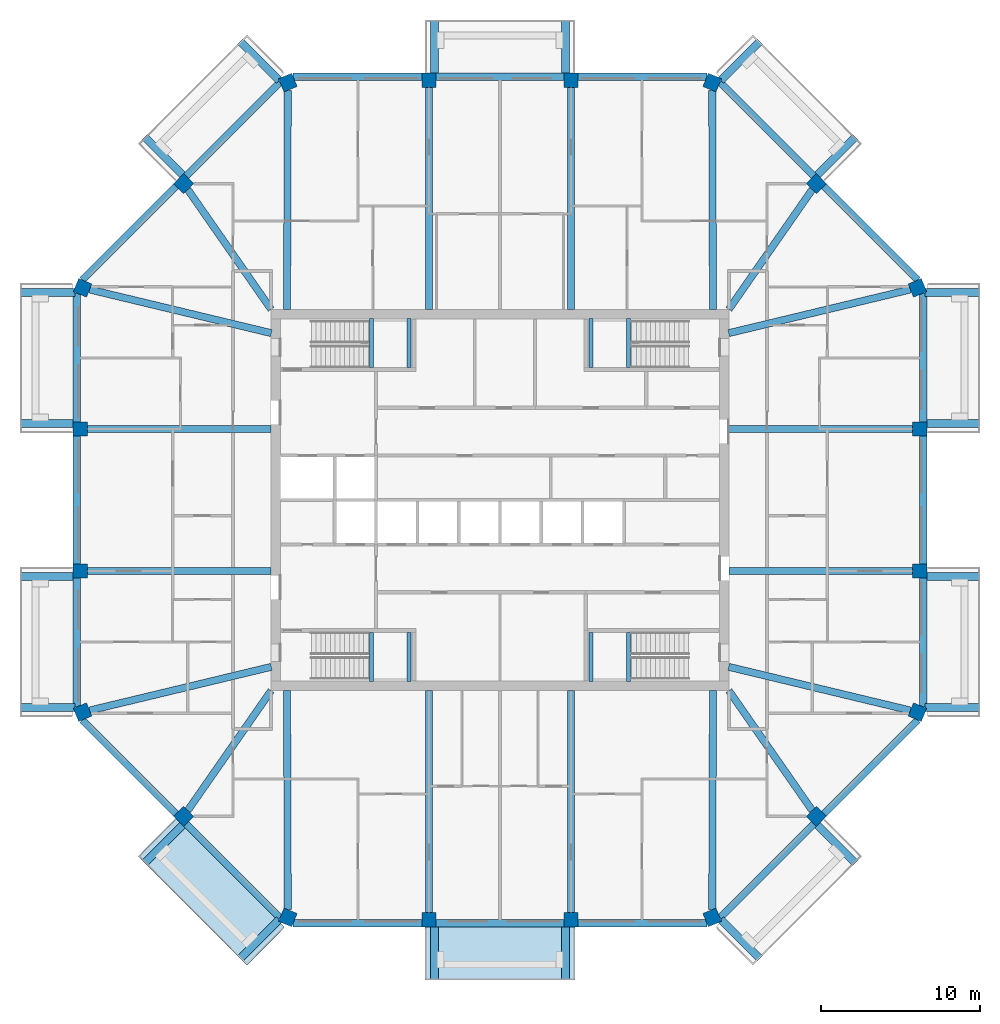
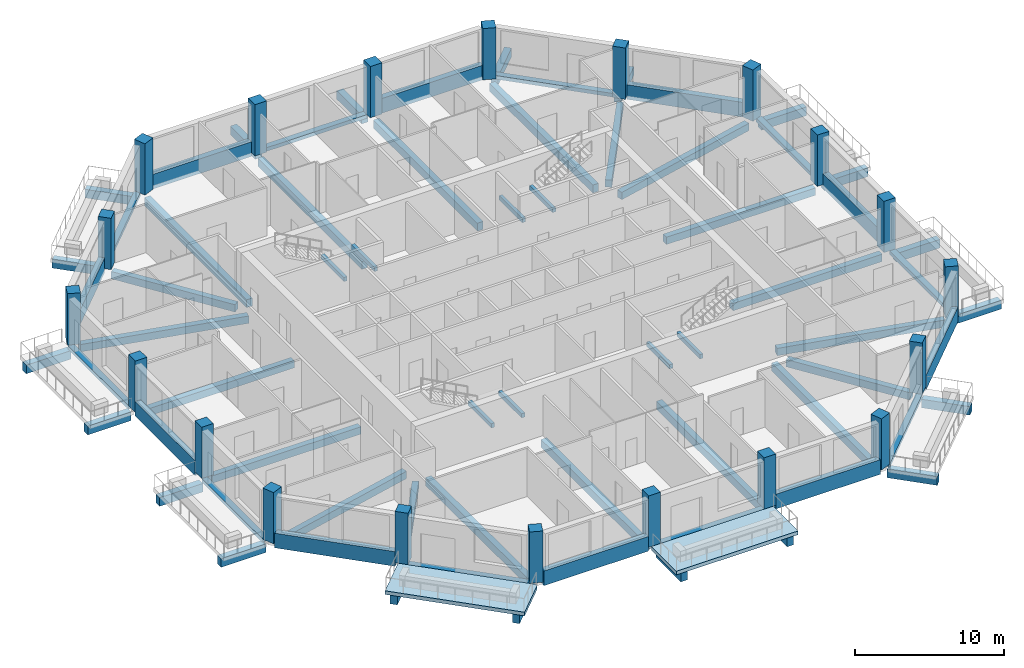
# One storey, part 1 of 12: 68 beams, 20 columns, 2 slabs.
"""IFC4 building model written with IfcOpenShell, lengths in metres."""

import ifcopenshell
import ifcopenshell.guid

model = None  # the IFC model being written
_history = None  # IfcOwnerHistory: only IFC2X3 demands one
_inside = {}  # id of a spatial element -> (the spatial element, [elements in it])
_under = {}  # id of a project, library or spatial element -> (it, [spatial elements below it])
_declared = {}  # id of a project -> (the project, [libraries it declares])
_typed = {}  # id of a type object -> (the type object, [elements of that type])
_made_of = {}  # id of a material, layer set ... -> (it, [elements and type objects made of it])


def new_model(schema):
    """Start an empty IFC model of exactly this schema.

    Asked for "IFC4X3", IfcOpenShell would pick the latest addendum, in which some entities
    have other attributes; the version numbers below select the first issue.
    IFC2X3 requires an IfcOwnerHistory on every rooted entity: one is made here for all.
    """
    global model, _history
    if schema == "IFC4X3":
        model = ifcopenshell.file(schema_version=(4, 3, 0, 0))
    else:
        model = ifcopenshell.file(schema=schema)
    _inside.clear()
    _under.clear()
    _declared.clear()
    _typed.clear()
    _made_of.clear()
    _history = None
    if model.schema == "IFC2X3":
        org = make("IfcOrganization", Name="unknown")
        user = make(
            "IfcPersonAndOrganization",
            ThePerson=make("IfcPerson", FamilyName="unknown"),
            TheOrganization=org,
        )
        app = make(
            "IfcApplication",
            ApplicationDeveloper=org,
            Version="unknown",
            ApplicationFullName="unknown",
            ApplicationIdentifier="unknown",
        )
        _history = make(
            "IfcOwnerHistory",
            OwningUser=user,
            OwningApplication=app,
            ChangeAction="ADDED",
            CreationDate=0,
        )
    return model


def make(cls, **values):
    """One entity of the class cls with the attributes given. An attribute that is None is left unset."""
    return model.create_entity(
        cls, **{name: value for name, value in values.items() if value is not None}
    )


def rooted(cls, **values):
    """An entity with a GlobalId (a new one), such as an element, a storey or a relation."""
    return make(cls, GlobalId=ifcopenshell.guid.new(), OwnerHistory=_history, **values)


def si_unit(unit_type, name, prefix=None):
    """IfcSIUnit, for example si_unit("LENGTHUNIT", "METRE", prefix="MILLI")."""
    return make("IfcSIUnit", UnitType=unit_type, Prefix=prefix, Name=name)


def assignment(units):
    """IfcUnitAssignment: the units of a project."""
    return None if units is None else make("IfcUnitAssignment", Units=units)


def point(xyz):
    """IfcCartesianPoint."""
    return None if xyz is None else make("IfcCartesianPoint", Coordinates=xyz)


def direction(xyz):
    """IfcDirection."""
    return None if xyz is None else make("IfcDirection", DirectionRatios=xyz)


def frame(location, z_axis=None, x_axis=None):
    """IfcAxis2Placement3D, a coordinate frame: its origin and axes. An axis left out is left unset."""
    return make(
        "IfcAxis2Placement3D",
        Location=point(location),
        Axis=direction(z_axis),
        RefDirection=direction(x_axis),
    )


def frame_2d(location, x_axis=None):
    """IfcAxis2Placement2D, a coordinate frame in the plane: its origin and x axis."""
    return make(
        "IfcAxis2Placement2D", Location=point(location), RefDirection=direction(x_axis)
    )


def origin():
    """The frame at (0, 0, 0) with its axes left unset."""
    return frame((0.0, 0.0, 0.0))


def origin_2d():
    """The frame at (0, 0) in the plane with its x axis left unset."""
    return frame_2d((0.0, 0.0))


def place(relative_to, where):
    """IfcLocalPlacement: puts the frame where relative to a parent placement (None: the world)."""
    return make(
        "IfcLocalPlacement", PlacementRelTo=relative_to, RelativePlacement=where
    )


def context(
    kind, dimensions, precision=None, world=None, true_north=None, identifier=None
):
    """IfcGeometricRepresentationContext, for example the 3D "Model" context."""
    return make(
        "IfcGeometricRepresentationContext",
        ContextIdentifier=identifier,
        ContextType=kind,
        CoordinateSpaceDimension=dimensions,
        Precision=precision,
        WorldCoordinateSystem=world,
        TrueNorth=true_north,
    )


def subcontext(parent, identifier, kind, view, scale=None):
    """IfcGeometricRepresentationSubContext, for example "Body" below "Model"."""
    return make(
        "IfcGeometricRepresentationSubContext",
        ContextIdentifier=identifier,
        ContextType=kind,
        ParentContext=parent,
        TargetScale=scale,
        TargetView=view,
    )


def project(units=None, contexts=None):
    """IfcProject with its units and contexts."""
    return rooted(
        "IfcProject",
        Name="project",
        RepresentationContexts=contexts,
        UnitsInContext=assignment(units),
    )


def spatial(cls, under=None, at=None, **own):
    """A site, building, storey or space (cls), placed at a placement, below another one or the project."""
    s = rooted(cls, ObjectPlacement=at, **own)
    if under is not None:
        _under.setdefault(under.id(), (under, []))[1].append(s)
    return s


def polyline(points):
    """IfcPolyline through the points."""
    return make("IfcPolyline", Points=[point(p) for p in points])


def profile(cls, at=None, kind="AREA", **sizes):
    """A parametric profile (cls). Its sizes go by their IFC names, for example OverallWidth=200.0."""
    return make(cls, ProfileType=kind, Position=at, **sizes)


def rectangle(**sizes):
    """IfcRectangleProfileDef."""
    return profile("IfcRectangleProfileDef", **sizes)


def outline(outer, holes=None, kind="AREA"):
    """IfcArbitraryClosedProfileDef: a profile drawn as a closed curve; with holes, ...WithVoids."""
    if holes is None:
        return make("IfcArbitraryClosedProfileDef", ProfileType=kind, OuterCurve=outer)
    return make(
        "IfcArbitraryProfileDefWithVoids",
        ProfileType=kind,
        OuterCurve=outer,
        InnerCurves=holes,
    )


def extrude(swept, where, along, depth):
    """IfcExtrudedAreaSolid: the profile swept, set in the frame where, extruded along a direction by depth."""
    return make(
        "IfcExtrudedAreaSolid",
        SweptArea=swept,
        Position=where,
        ExtrudedDirection=direction(along),
        Depth=depth,
    )


def shape(context_of_items, identifier, shape_type, items):
    """IfcShapeRepresentation: the items that make up one representation, for example the "Body"."""
    return make(
        "IfcShapeRepresentation",
        ContextOfItems=context_of_items,
        RepresentationIdentifier=identifier,
        RepresentationType=shape_type,
        Items=items,
    )


def material(Name=None, Category=None):
    """IfcMaterial."""
    return make("IfcMaterial", Name=Name, Category=Category)


def layer(
    of_material, thickness, ventilated=None, Name=None, Category=None, Priority=None
):
    """IfcMaterialLayer: one layer of a wall or slab, of a material (None: an air gap)."""
    return make(
        "IfcMaterialLayer",
        Material=of_material,
        LayerThickness=thickness,
        IsVentilated=ventilated,
        Name=Name,
        Category=Category,
        Priority=Priority,
    )


def layer_set(layers, Name=None):
    """IfcMaterialLayerSet."""
    return make("IfcMaterialLayerSet", MaterialLayers=layers, LayerSetName=Name)


def material_profile(
    of_material, cross_section, Name=None, Category=None, Priority=None
):
    """IfcMaterialProfile: a cross section and its material."""
    return make(
        "IfcMaterialProfile",
        Name=Name,
        Material=of_material,
        Profile=cross_section,
        Priority=Priority,
        Category=Category,
    )


def profile_set(profiles, Name=None, composite=None):
    """IfcMaterialProfileSet."""
    return make(
        "IfcMaterialProfileSet",
        Name=Name,
        MaterialProfiles=profiles,
        CompositeProfile=composite,
    )


def made_of(thing, what):
    """Note that an element or type object is made of a material, layer set ...; save() writes the relation."""
    if what is not None:
        _made_of.setdefault(what.id(), (what, []))[1].append(thing)
    return thing


def type_object(cls, material=None, **own):
    """A type object (cls), such as IfcWallType, which elements share."""
    return made_of(rooted(cls, **own), material)


def element(
    cls,
    number,
    at=None,
    inside=None,
    cuts=None,
    type_object=None,
    material=None,
    context=None,
    identifier="Body",
    shape_type=None,
    held_by="IfcProductDefinitionShape",
    body=None,
    shapes=None,
    **own,
):
    """One element of the class cls, such as IfcWall. Its Tag is "e" and its number.

    at: its placement. inside: the storey or other place that contains it. cuts: it is an
    opening in that element (IfcRelVoidsElement). A single representation is given by context,
    identifier, shape_type and body (its items); several are given by shapes. held_by: the class
    of the entity that holds the representations. save() writes the other relations.
    """
    e = rooted(cls, Tag="e%d" % number, ObjectPlacement=at, **own)
    if body is not None:
        shapes = [shape(context, identifier, shape_type, body)]
    if shapes is not None:
        e.Representation = make(held_by, Representations=shapes)
    if inside is not None:
        _inside.setdefault(inside.id(), (inside, []))[1].append(e)
    if cuts is not None:
        rooted(
            "IfcRelVoidsElement", RelatingBuildingElement=cuts, RelatedOpeningElement=e
        )
    if type_object is not None:
        _typed.setdefault(type_object.id(), (type_object, []))[1].append(e)
    return made_of(e, material)


def aggregate(whole, parts):
    """IfcRelAggregates: a whole, such as a stair, and the parts it consists of."""
    return rooted("IfcRelAggregates", RelatingObject=whole, RelatedObjects=parts)


def save(model, path):
    """Write the relations noted so far, then the file.

    IfcRelAggregates (storeys below a building ...), IfcRelContainedInSpatialStructure (elements
    in a storey), IfcRelDefinesByType, IfcRelAssociatesMaterial and IfcRelDeclares: one each for
    every whole, place, type object, material and project.
    """
    for whole, parts in _under.values():
        aggregate(whole, parts)
    for where, things in _inside.values():
        rooted(
            "IfcRelContainedInSpatialStructure",
            RelatedElements=things,
            RelatingStructure=where,
        )
    for kind, things in _typed.values():
        rooted("IfcRelDefinesByType", RelatedObjects=things, RelatingType=kind)
    for what, things in _made_of.values():
        rooted("IfcRelAssociatesMaterial", RelatedObjects=things, RelatingMaterial=what)
    for by, libraries in _declared.values():
        rooted("IfcRelDeclares", RelatingContext=by, RelatedDefinitions=libraries)
    model.write(path)


model = new_model("IFC4")

# Units and contexts
model_context = context("Model", 3, precision=1e-05, world=origin(), true_north=direction((0.0, 1.0)))
body_context = subcontext(model_context, "Body", "Model", "MODEL_VIEW")
ifc_project = project(units=[si_unit("LENGTHUNIT", "METRE"), si_unit("AREAUNIT", "SQUARE_METRE"), si_unit("VOLUMEUNIT", "CUBIC_METRE"), si_unit("PLANEANGLEUNIT", "RADIAN"), si_unit("MASSUNIT", "GRAM", prefix="KILO")], contexts=[model_context])

# Site, building, storey
site_placement = place(None, origin())
site = spatial("IfcSite", under=ifc_project, at=site_placement, CompositionType="ELEMENT")
building_placement = place(site_placement, origin())
building = spatial("IfcBuilding", under=site, at=building_placement, Name="Msitu Wima Residences", CompositionType="ELEMENT")
storey_placement = place(building_placement, frame((0.0, 0.0, 243.300048828125)))
storey = spatial("IfcBuildingStorey", under=building, at=storey_placement, Name="L56", CompositionType="ELEMENT", Elevation=243.300048828125)

# Columns
ifc_material_1 = material(Name="Concrete C50/60", Category="concrete")
ifc_material_profile_1 = material_profile(ifc_material_1, rectangle(XDim=0.89990234375, YDim=0.89990234375, at=origin_2d()), Name="RC 900x900")
ifc_profile_set_1 = profile_set([ifc_material_profile_1], Name="Concrete C50/60")
column_type = type_object("IfcColumnType", Name="Column RC 900x900 Concrete C50/60", PredefinedType="COLUMN", material=ifc_profile_set_1)
for number, where, z_axis, x_axis, name in (
    (1, (26.261962890625, -13.3486328125, 0.0), (0.0, 0.0, 1.0), (0.382683496864, 0.923879505795, 0.0), "Column L56 C-E0"),
    (2, (26.39990234375, -4.46875, 0.0), (0.0, 0.0, 1.0), (0.0, 1.0, 0.0), "Column L56 C-E1"),
    (3, (26.39990234375, 4.46875, 0.0), (0.0, 0.0, 1.0), (0.0, 1.0, 0.0), "Column L56 C-E2"),
    (4, (26.261962890625, 13.3486328125, 0.0), (0.0, 0.0, 1.0), (-0.382683496864, 0.923879505795, 0.0), "Column L56 C-NE0"),
    (5, (19.90283203125, 19.90283203125, 0.0), (0.0, 0.0, 1.0), (-0.707106781187, 0.707106781187, 0.0), "Column L56 C-NE1"),
    (6, (13.3486328125, 26.261962890625, 0.0), (0.0, 0.0, 1.0), (-0.923879505795, 0.382683496864, 0.0), "Column L56 C-N0"),
    (7, (4.46875, 26.39990234375, 0.0), (0.0, 0.0, 1.0), (-1.0, 0.0, 0.0), "Column L56 C-N1"),
    (8, (-4.46875, 26.39990234375, 0.0), (0.0, 0.0, 1.0), (-1.0, 0.0, 0.0), "Column L56 C-N2"),
    (9, (-13.3486328125, 26.261962890625, 0.0), (0.0, 0.0, 1.0), (-0.923879505795, -0.382683496864, 0.0), "Column L56 C-NW0"),
    (10, (-19.90283203125, 19.90283203125, 0.0), (0.0, 0.0, 1.0), (-0.707106781187, -0.707106781187, 0.0), "Column L56 C-NW1"),
    (11, (-26.261962890625, 13.3486328125, 0.0), (0.0, 0.0, 1.0), (-0.382683496864, -0.923879505795, 0.0), "Column L56 C-W0"),
    (12, (-26.39990234375, 4.46875, 0.0), (0.0, 0.0, 1.0), (0.0, -1.0, 0.0), "Column L56 C-W1"),
    (13, (-26.39990234375, -4.46875, 0.0), (0.0, 0.0, 1.0), (0.0, -1.0, 0.0), "Column L56 C-W2"),
    (14, (-26.261962890625, -13.3486328125, 0.0), (0.0, 0.0, 1.0), (0.382683496864, -0.923879505795, 0.0), "Column L56 C-SW0"),
    (15, (-19.90283203125, -19.90283203125, 0.0), (0.0, 0.0, 1.0), (0.707106781187, -0.707106781187, 0.0), "Column L56 C-SW1"),
    (16, (-13.3486328125, -26.261962890625, 0.0), (0.0, 0.0, 1.0), (0.923879505795, -0.382683496864, 0.0), "Column L56 C-S0"),
    (17, (-4.46875, -26.39990234375, 0.0), (0.0, 0.0, 1.0), (1.0, 0.0, 0.0), "Column L56 C-S1"),
    (18, (4.46875, -26.39990234375, 0.0), (0.0, 0.0, 1.0), (1.0, 0.0, 0.0), "Column L56 C-S2"),
    (19, (13.3486328125, -26.261962890625, 0.0), (0.0, 0.0, 1.0), (0.923879505795, 0.382683496864, 0.0), "Column L56 C-SE0"),
    (20, (19.90283203125, -19.90283203125, 0.0), (0.0, 0.0, 1.0), (0.707106781187, 0.707106781187, 0.0), "Column L56 C-SE1"),
):
    element("IfcColumn", number, at=place(storey_placement, frame(where, z_axis=z_axis, x_axis=x_axis)), inside=storey, type_object=column_type, Name=name, PredefinedType="COLUMN", context=body_context, shape_type="SweptSolid", body=[
        extrude(rectangle(XDim=0.89990234375, YDim=0.89990234375, at=origin_2d()), origin(), (0.0, 0.0, 1.0), 4.199951171875),
    ])

# Beams
ifc_material_profile_2 = material_profile(ifc_material_1, rectangle(XDim=0.449951171875, YDim=0.60009765625, at=origin_2d()), Name="RC 450x600")
ifc_profile_set_2 = profile_set([ifc_material_profile_2], Name="Concrete C50/60")
beam_type_1 = type_object("IfcBeamType", Name="Beam RC 450x600 Concrete C50/60", PredefinedType="BEAM", material=ifc_profile_set_2)
beam_1_placement = place(storey_placement, frame((25.819091796875, -13.242431640625, -0.550048828125), z_axis=(-0.972353359268, 0.233514335148, 0.0), x_axis=(-0.233514335148, -0.972353359268, 0.0)))
element("IfcBeam", 21, at=beam_1_placement, inside=storey, type_object=beam_type_1, Name="Beam L56 C-E0", PredefinedType="BEAM", context=body_context, shape_type="SweptSolid", body=[
    extrude(rectangle(XDim=0.449951171875, YDim=0.60009765625, at=origin_2d()), origin(), (0.0, 0.0, 1.0), 11.755615234375),
])
for number, where, z_axis, x_axis, name in (
    (22, (25.949951171875, -4.46875, -0.550048828125), (-1.0, 0.0, 0.0), (0.0, -1.0, 0.0), "Beam L56 C-E1"),
    (23, (25.949951171875, 4.46875, -0.550048828125), (-1.0, 0.0, 0.0), (0.0, -1.0, 0.0), "Beam L56 C-E2"),
):
    element("IfcBeam", number, at=place(storey_placement, frame(where, z_axis=z_axis, x_axis=x_axis)), inside=storey, type_object=beam_type_1, Name=name, PredefinedType="BEAM", context=body_context, shape_type="SweptSolid", body=[
        extrude(rectangle(XDim=0.449951171875, YDim=0.60009765625, at=origin_2d()), origin(), (0.0, 0.0, 1.0), 11.550048828125),
    ])
beam_2_placement = place(storey_placement, frame((25.819091796875, 13.242431640625, -0.550048828125), z_axis=(-0.972353359268, -0.233514335148, 0.0), x_axis=(0.233514335148, -0.972353359268, 0.0)))
element("IfcBeam", 24, at=beam_2_placement, inside=storey, type_object=beam_type_1, Name="Beam L56 C-NE0", PredefinedType="BEAM", context=body_context, shape_type="SweptSolid", body=[
    extrude(rectangle(XDim=0.449951171875, YDim=0.60009765625, at=origin_2d()), origin(), (0.0, 0.0, 1.0), 11.755615234375),
])
for number, where, z_axis, x_axis, name in (
    (25, (19.6416015625, 19.52783203125, -0.550048828125), (-0.571427822633, -0.820652328042, 0.0), (0.820652328042, -0.571427822633, 0.0), "Beam L56 C-NE1"),
    (26, (-19.6416015625, 19.52783203125, -0.550048828125), (0.571427822633, -0.820652328042, 0.0), (0.820652328042, 0.571427822633, 0.0), "Beam L56 C-NW1"),
):
    element("IfcBeam", number, at=place(storey_placement, frame(where, z_axis=z_axis, x_axis=x_axis)), inside=storey, type_object=beam_type_1, Name=name, PredefinedType="BEAM", context=body_context, shape_type="SweptSolid", body=[
        extrude(rectangle(XDim=0.449951171875, YDim=0.60009765625, at=origin_2d()), origin(), (0.0, 0.0, 1.0), 9.173095703125),
    ])
beam_3_placement = place(storey_placement, frame((-25.819091796875, 13.242431640625, -0.550048828125), z_axis=(0.972353359268, -0.233514335148, 0.0), x_axis=(0.233514335148, 0.972353359268, 0.0)))
element("IfcBeam", 27, at=beam_3_placement, inside=storey, type_object=beam_type_1, Name="Beam L56 C-W0", PredefinedType="BEAM", context=body_context, shape_type="SweptSolid", body=[
    extrude(rectangle(XDim=0.449951171875, YDim=0.60009765625, at=origin_2d()), origin(), (0.0, 0.0, 1.0), 11.755615234375),
])
for number, where, z_axis, x_axis, name in (
    (28, (-25.949951171875, 4.46875, -0.550048828125), (1.0, 0.0, 0.0), (0.0, 1.0, 0.0), "Beam L56 C-W1"),
    (29, (-25.949951171875, -4.46875, -0.550048828125), (1.0, 0.0, 0.0), (0.0, 1.0, 0.0), "Beam L56 C-W2"),
):
    element("IfcBeam", number, at=place(storey_placement, frame(where, z_axis=z_axis, x_axis=x_axis)), inside=storey, type_object=beam_type_1, Name=name, PredefinedType="BEAM", context=body_context, shape_type="SweptSolid", body=[
        extrude(rectangle(XDim=0.449951171875, YDim=0.60009765625, at=origin_2d()), origin(), (0.0, 0.0, 1.0), 11.550048828125),
    ])
beam_4_placement = place(storey_placement, frame((-25.819091796875, -13.242431640625, -0.550048828125), z_axis=(0.972353359268, 0.233514335148, 0.0), x_axis=(-0.233514335148, 0.972353359268, 0.0)))
element("IfcBeam", 30, at=beam_4_placement, inside=storey, type_object=beam_type_1, Name="Beam L56 C-SW0", PredefinedType="BEAM", context=body_context, shape_type="SweptSolid", body=[
    extrude(rectangle(XDim=0.449951171875, YDim=0.60009765625, at=origin_2d()), origin(), (0.0, 0.0, 1.0), 11.755615234375),
])
for number, where, z_axis, x_axis, name in (
    (31, (-19.6416015625, -19.52783203125, -0.550048828125), (0.571427822633, 0.820652328042, 0.0), (-0.820652328042, 0.571427822633, 0.0), "Beam L56 C-SW1"),
    (32, (19.6416015625, -19.52783203125, -0.550048828125), (-0.571427822633, 0.820652328042, 0.0), (-0.820652328042, -0.571427822633, 0.0), "Beam L56 C-SE1"),
):
    element("IfcBeam", number, at=place(storey_placement, frame(where, z_axis=z_axis, x_axis=x_axis)), inside=storey, type_object=beam_type_1, Name=name, PredefinedType="BEAM", context=body_context, shape_type="SweptSolid", body=[
        extrude(rectangle(XDim=0.449951171875, YDim=0.60009765625, at=origin_2d()), origin(), (0.0, 0.0, 1.0), 9.173095703125),
    ])
ifc_material_profile_3 = material_profile(ifc_material_1, rectangle(XDim=0.449951171875, YDim=0.64990234375, at=origin_2d()), Name="RC 450x650")
ifc_profile_set_3 = profile_set([ifc_material_profile_3], Name="Concrete C50/60")
beam_type_2 = type_object("IfcBeamType", Name="Beam RC 450x650 Concrete C50/60", PredefinedType="BEAM", material=ifc_profile_set_3)
beam_5_placement = place(storey_placement, frame((13.3505859375, 25.774169921875, -0.574951171875), z_axis=(0.003594933206, -0.999993538207, 0.0), x_axis=(0.999993538207, 0.003594933206, 0.0)))
element("IfcBeam", 33, at=beam_5_placement, inside=storey, type_object=beam_type_2, Name="Beam L56 C-N0", PredefinedType="BEAM", context=body_context, shape_type="SweptSolid", body=[
    extrude(rectangle(XDim=0.449951171875, YDim=0.64990234375, at=origin_2d()), origin(), (0.0, 0.0, 1.0), 13.7861328125),
])
for number, where, z_axis, x_axis, name in (
    (34, (4.46875, 25.949951171875, -0.574951171875), (0.0, -1.0, 0.0), (1.0, 0.0, 0.0), "Beam L56 C-N1"),
    (35, (-4.46875, 25.949951171875, -0.574951171875), (0.0, -1.0, 0.0), (1.0, 0.0, 0.0), "Beam L56 C-N2"),
):
    element("IfcBeam", number, at=place(storey_placement, frame(where, z_axis=z_axis, x_axis=x_axis)), inside=storey, type_object=beam_type_2, Name=name, PredefinedType="BEAM", context=body_context, shape_type="SweptSolid", body=[
        extrude(rectangle(XDim=0.449951171875, YDim=0.64990234375, at=origin_2d()), origin(), (0.0, 0.0, 1.0), 13.949951171875),
    ])
for number, where, z_axis, x_axis, name in (
    (36, (-13.3505859375, 25.774169921875, -0.574951171875), (-0.003594933206, -0.999993538207, 0.0), (0.999993538207, -0.003594933206, 0.0), "Beam L56 C-NW0"),
    (37, (-13.3505859375, -25.774169921875, -0.574951171875), (-0.003594933206, 0.999993538207, 0.0), (-0.999993538207, -0.003594933206, 0.0), "Beam L56 C-S0"),
):
    element("IfcBeam", number, at=place(storey_placement, frame(where, z_axis=z_axis, x_axis=x_axis)), inside=storey, type_object=beam_type_2, Name=name, PredefinedType="BEAM", context=body_context, shape_type="SweptSolid", body=[
        extrude(rectangle(XDim=0.449951171875, YDim=0.64990234375, at=origin_2d()), origin(), (0.0, 0.0, 1.0), 13.7861328125),
    ])
for number, where, z_axis, x_axis, name in (
    (38, (-4.46875, -25.949951171875, -0.574951171875), (0.0, 1.0, 0.0), (-1.0, 0.0, 0.0), "Beam L56 C-S1"),
    (39, (4.46875, -25.949951171875, -0.574951171875), (0.0, 1.0, 0.0), (-1.0, 0.0, 0.0), "Beam L56 C-S2"),
):
    element("IfcBeam", number, at=place(storey_placement, frame(where, z_axis=z_axis, x_axis=x_axis)), inside=storey, type_object=beam_type_2, Name=name, PredefinedType="BEAM", context=body_context, shape_type="SweptSolid", body=[
        extrude(rectangle(XDim=0.449951171875, YDim=0.64990234375, at=origin_2d()), origin(), (0.0, 0.0, 1.0), 13.949951171875),
    ])
beam_6_placement = place(storey_placement, frame((13.3505859375, -25.774169921875, -0.574951171875), z_axis=(0.003594933206, 0.999993538207, 0.0), x_axis=(-0.999993538207, 0.003594933206, 0.0)))
element("IfcBeam", 40, at=beam_6_placement, inside=storey, type_object=beam_type_2, Name="Beam L56 C-SE0", PredefinedType="BEAM", context=body_context, shape_type="SweptSolid", body=[
    extrude(rectangle(XDim=0.449951171875, YDim=0.64990234375, at=origin_2d()), origin(), (0.0, 0.0, 1.0), 13.7861328125),
])
ifc_material_profile_4 = material_profile(ifc_material_1, rectangle(XDim=0.5, YDim=0.699951171875, at=origin_2d()), Name="RC 500x700")
ifc_profile_set_4 = profile_set([ifc_material_profile_4], Name="Concrete C50/60")
beam_type_3 = type_object("IfcBeamType", Name="Cantilever beam RC 500x700 Concrete C50/60", PredefinedType="BEAM", material=ifc_profile_set_4)
beam_7_placement = place(storey_placement, frame((26.73095703125, -13.055908203125, -0.650146484375), z_axis=(1.0, 0.0, 0.0), x_axis=(0.0, 1.0, 0.0)))
element("IfcBeam", 41, at=beam_7_placement, inside=storey, type_object=beam_type_3, Name="Cantilever beam L56 BA-E0 A", PredefinedType="BEAM", context=body_context, shape_type="SweptSolid", body=[
    extrude(rectangle(XDim=0.5, YDim=0.699951171875, at=origin_2d()), origin(), (0.0, 0.0, 1.0), 3.468994140625),
])
for number, where, z_axis, x_axis, name in (
    (42, (26.85009765625, -4.818603515625, -0.650146484375), (1.0, 0.0, 0.0), (0.0, 1.0, 0.0), "Cantilever beam L56 BA-E0 B"),
    (43, (26.85009765625, 4.818603515625, -0.650146484375), (1.0, 0.0, 0.0), (0.0, 1.0, 0.0), "Cantilever beam L56 BA-E2 A"),
):
    element("IfcBeam", number, at=place(storey_placement, frame(where, z_axis=z_axis, x_axis=x_axis)), inside=storey, type_object=beam_type_3, Name=name, PredefinedType="BEAM", context=body_context, shape_type="SweptSolid", body=[
        extrude(rectangle(XDim=0.5, YDim=0.699951171875, at=origin_2d()), origin(), (0.0, 0.0, 1.0), 3.349853515625),
    ])
beam_8_placement = place(storey_placement, frame((26.73095703125, 13.055908203125, -0.650146484375), z_axis=(1.0, 0.0, 0.0), x_axis=(0.0, 1.0, 0.0)))
element("IfcBeam", 44, at=beam_8_placement, inside=storey, type_object=beam_type_3, Name="Cantilever beam L56 BA-E2 B", PredefinedType="BEAM", context=body_context, shape_type="SweptSolid", body=[
    extrude(rectangle(XDim=0.5, YDim=0.699951171875, at=origin_2d()), origin(), (0.0, 0.0, 1.0), 3.468994140625),
])
beam_9_placement = place(storey_placement, frame((19.9736328125, 20.46875, -0.650146484375), z_axis=(0.707143219659, 0.707070340836, 0.0), x_axis=(-0.707070340836, 0.707143219659, 0.0)))
element("IfcBeam", 45, at=beam_9_placement, inside=storey, type_object=beam_type_3, Name="Cantilever beam L56 BA-NE1 A", PredefinedType="BEAM", context=body_context, shape_type="SweptSolid", body=[
    extrude(rectangle(XDim=0.5, YDim=0.699951171875, at=origin_2d()), origin(), (0.0, 0.0, 1.0), 3.349853515625),
])
beam_10_placement = place(storey_placement, frame((13.887451171875, 26.386474609375, -0.650146484375), z_axis=(0.707071592116, 0.707141968506, 0.0), x_axis=(-0.707141968506, 0.707071592116, 0.0)))
element("IfcBeam", 46, at=beam_10_placement, inside=storey, type_object=beam_type_3, Name="Cantilever beam L56 BA-NE1 B", PredefinedType="BEAM", context=body_context, shape_type="SweptSolid", body=[
    extrude(rectangle(XDim=0.5, YDim=0.699951171875, at=origin_2d()), origin(), (0.0, 0.0, 1.0), 3.468994140625),
])
for number, where, z_axis, x_axis, name in (
    (47, (4.11865234375, 26.85009765625, -0.650146484375), (0.0, 1.0, 0.0), (-1.0, 0.0, 0.0), "Cantilever beam L56 BA-N1 A"),
    (48, (-4.11865234375, 26.85009765625, -0.650146484375), (0.0, 1.0, 0.0), (-1.0, 0.0, 0.0), "Cantilever beam L56 BA-N1 B"),
):
    element("IfcBeam", number, at=place(storey_placement, frame(where, z_axis=z_axis, x_axis=x_axis)), inside=storey, type_object=beam_type_3, Name=name, PredefinedType="BEAM", context=body_context, shape_type="SweptSolid", body=[
        extrude(rectangle(XDim=0.5, YDim=0.699951171875, at=origin_2d()), origin(), (0.0, 0.0, 1.0), 3.349853515625),
    ])
beam_11_placement = place(storey_placement, frame((-13.887451171875, 26.386474609375, -0.650146484375), z_axis=(-0.707071592116, 0.707141968506, 0.0), x_axis=(-0.707141968506, -0.707071592116, 0.0)))
element("IfcBeam", 49, at=beam_11_placement, inside=storey, type_object=beam_type_3, Name="Cantilever beam L56 BA-NW0 A", PredefinedType="BEAM", context=body_context, shape_type="SweptSolid", body=[
    extrude(rectangle(XDim=0.5, YDim=0.699951171875, at=origin_2d()), origin(), (0.0, 0.0, 1.0), 3.468994140625),
])
beam_12_placement = place(storey_placement, frame((-19.9736328125, 20.46875, -0.650146484375), z_axis=(-0.707143219659, 0.707070340836, 0.0), x_axis=(-0.707070340836, -0.707143219659, 0.0)))
element("IfcBeam", 50, at=beam_12_placement, inside=storey, type_object=beam_type_3, Name="Cantilever beam L56 BA-NW0 B", PredefinedType="BEAM", context=body_context, shape_type="SweptSolid", body=[
    extrude(rectangle(XDim=0.5, YDim=0.699951171875, at=origin_2d()), origin(), (0.0, 0.0, 1.0), 3.349853515625),
])
beam_13_placement = place(storey_placement, frame((-26.73095703125, 13.055908203125, -0.650146484375), z_axis=(-1.0, 0.0, 0.0), x_axis=(0.0, -1.0, 0.0)))
element("IfcBeam", 51, at=beam_13_placement, inside=storey, type_object=beam_type_3, Name="Cantilever beam L56 BA-W0 A", PredefinedType="BEAM", context=body_context, shape_type="SweptSolid", body=[
    extrude(rectangle(XDim=0.5, YDim=0.699951171875, at=origin_2d()), origin(), (0.0, 0.0, 1.0), 3.468994140625),
])
for number, where, z_axis, x_axis, name in (
    (52, (-26.85009765625, 4.818603515625, -0.650146484375), (-1.0, 0.0, 0.0), (0.0, -1.0, 0.0), "Cantilever beam L56 BA-W0 B"),
    (53, (-26.85009765625, -4.818603515625, -0.650146484375), (-1.0, 0.0, 0.0), (0.0, -1.0, 0.0), "Cantilever beam L56 BA-W2 A"),
):
    element("IfcBeam", number, at=place(storey_placement, frame(where, z_axis=z_axis, x_axis=x_axis)), inside=storey, type_object=beam_type_3, Name=name, PredefinedType="BEAM", context=body_context, shape_type="SweptSolid", body=[
        extrude(rectangle(XDim=0.5, YDim=0.699951171875, at=origin_2d()), origin(), (0.0, 0.0, 1.0), 3.349853515625),
    ])
beam_14_placement = place(storey_placement, frame((-26.73095703125, -13.055908203125, -0.650146484375), z_axis=(-1.0, 0.0, 0.0), x_axis=(0.0, -1.0, 0.0)))
element("IfcBeam", 54, at=beam_14_placement, inside=storey, type_object=beam_type_3, Name="Cantilever beam L56 BA-W2 B", PredefinedType="BEAM", context=body_context, shape_type="SweptSolid", body=[
    extrude(rectangle(XDim=0.5, YDim=0.699951171875, at=origin_2d()), origin(), (0.0, 0.0, 1.0), 3.468994140625),
])
beam_15_placement = place(storey_placement, frame((-19.9736328125, -20.46875, -0.650146484375), z_axis=(-0.707143219659, -0.707070340836, 0.0), x_axis=(0.707070340836, -0.707143219659, 0.0)))
element("IfcBeam", 55, at=beam_15_placement, inside=storey, type_object=beam_type_3, Name="Cantilever beam L56 BA-SW1 A", PredefinedType="BEAM", context=body_context, shape_type="SweptSolid", body=[
    extrude(rectangle(XDim=0.5, YDim=0.699951171875, at=origin_2d()), origin(), (0.0, 0.0, 1.0), 3.349853515625),
])
beam_16_placement = place(storey_placement, frame((-13.887451171875, -26.386474609375, -0.650146484375), z_axis=(-0.707071592116, -0.707141968506, 0.0), x_axis=(0.707141968506, -0.707071592116, 0.0)))
element("IfcBeam", 56, at=beam_16_placement, inside=storey, type_object=beam_type_3, Name="Cantilever beam L56 BA-SW1 B", PredefinedType="BEAM", context=body_context, shape_type="SweptSolid", body=[
    extrude(rectangle(XDim=0.5, YDim=0.699951171875, at=origin_2d()), origin(), (0.0, 0.0, 1.0), 3.468994140625),
])
for number, where, z_axis, x_axis, name in (
    (57, (-4.11865234375, -26.85009765625, -0.650146484375), (0.0, -1.0, 0.0), (1.0, 0.0, 0.0), "Cantilever beam L56 BA-S1 A"),
    (58, (4.11865234375, -26.85009765625, -0.650146484375), (0.0, -1.0, 0.0), (1.0, 0.0, 0.0), "Cantilever beam L56 BA-S1 B"),
):
    element("IfcBeam", number, at=place(storey_placement, frame(where, z_axis=z_axis, x_axis=x_axis)), inside=storey, type_object=beam_type_3, Name=name, PredefinedType="BEAM", context=body_context, shape_type="SweptSolid", body=[
        extrude(rectangle(XDim=0.5, YDim=0.699951171875, at=origin_2d()), origin(), (0.0, 0.0, 1.0), 3.349853515625),
    ])
beam_17_placement = place(storey_placement, frame((13.887451171875, -26.386474609375, -0.650146484375), z_axis=(0.707071592116, -0.707141968506, 0.0), x_axis=(0.707141968506, 0.707071592116, 0.0)))
element("IfcBeam", 59, at=beam_17_placement, inside=storey, type_object=beam_type_3, Name="Cantilever beam L56 BA-SE0 A", PredefinedType="BEAM", context=body_context, shape_type="SweptSolid", body=[
    extrude(rectangle(XDim=0.5, YDim=0.699951171875, at=origin_2d()), origin(), (0.0, 0.0, 1.0), 3.468994140625),
])
beam_18_placement = place(storey_placement, frame((19.9736328125, -20.46875, -0.650146484375), z_axis=(0.707143219659, -0.707070340836, 0.0), x_axis=(0.707070340836, 0.707143219659, 0.0)))
element("IfcBeam", 60, at=beam_18_placement, inside=storey, type_object=beam_type_3, Name="Cantilever beam L56 BA-SE0 B", PredefinedType="BEAM", context=body_context, shape_type="SweptSolid", body=[
    extrude(rectangle(XDim=0.5, YDim=0.699951171875, at=origin_2d()), origin(), (0.0, 0.0, 1.0), 3.349853515625),
])
ifc_material_profile_5 = material_profile(ifc_material_1, rectangle(XDim=0.449951171875, YDim=0.300048828125, at=origin_2d()), Name="RC 450x300")
ifc_profile_set_5 = profile_set([ifc_material_profile_5], Name="Concrete C50/60")
beam_type_4 = type_object("IfcBeamType", Name="Edge beam RC 450x300 Concrete C50/60", PredefinedType="SPANDREL", material=ifc_profile_set_5)
for number, where, z_axis, x_axis, name in (
    (61, (26.625, -13.02392578125, -0.150146484375), (0.0, 1.0, 0.0), (-1.0, 0.0, 0.0), "Spandrel L56 E0"),
    (62, (26.625, 4.918701171875, -0.150146484375), (0.0, 1.0, 0.0), (-1.0, 0.0, 0.0), "Spandrel L56 E2"),
):
    element("IfcBeam", number, at=place(storey_placement, frame(where, z_axis=z_axis, x_axis=x_axis)), inside=storey, type_object=beam_type_4, Name=name, PredefinedType="SPANDREL", context=body_context, shape_type="SweptSolid", body=[
        extrude(rectangle(XDim=0.449951171875, YDim=0.300048828125, at=origin_2d()), origin(), (0.0, 0.0, 1.0), 8.105224609375),
    ])
beam_19_placement = place(storey_placement, frame((19.743896484375, 20.380126953125, -0.150146484375), z_axis=(-0.707106781187, 0.707106781187, 0.0), x_axis=(-0.707106781187, -0.707106781187, 0.0)))
element("IfcBeam", 63, at=beam_19_placement, inside=storey, type_object=beam_type_4, Name="Spandrel L56 NE1", PredefinedType="SPANDREL", context=body_context, shape_type="SweptSolid", body=[
    extrude(rectangle(XDim=0.449951171875, YDim=0.300048828125, at=origin_2d()), origin(), (0.0, 0.0, 1.0), 8.3564453125),
])
beam_20_placement = place(storey_placement, frame((4.0185546875, 26.625, -0.150146484375), z_axis=(-1.0, 0.0, 0.0), x_axis=(0.0, -1.0, 0.0)))
element("IfcBeam", 64, at=beam_20_placement, inside=storey, type_object=beam_type_4, Name="Spandrel L56 N1", PredefinedType="SPANDREL", context=body_context, shape_type="SweptSolid", body=[
    extrude(rectangle(XDim=0.449951171875, YDim=0.300048828125, at=origin_2d()), origin(), (0.0, 0.0, 1.0), 8.037109375),
])
beam_21_placement = place(storey_placement, frame((-13.8349609375, 26.2890625, -0.150146484375), z_axis=(-0.707106781187, -0.707106781187, 0.0), x_axis=(0.707106781187, -0.707106781187, 0.0)))
element("IfcBeam", 65, at=beam_21_placement, inside=storey, type_object=beam_type_4, Name="Spandrel L56 NW0", PredefinedType="SPANDREL", context=body_context, shape_type="SweptSolid", body=[
    extrude(rectangle(XDim=0.449951171875, YDim=0.300048828125, at=origin_2d()), origin(), (0.0, 0.0, 1.0), 8.3564453125),
])
for number, where, z_axis, x_axis, name in (
    (66, (-26.625, 13.02392578125, -0.150146484375), (0.0, -1.0, 0.0), (1.0, 0.0, 0.0), "Spandrel L56 W0"),
    (67, (-26.625, -4.918701171875, -0.150146484375), (0.0, -1.0, 0.0), (1.0, 0.0, 0.0), "Spandrel L56 W2"),
):
    element("IfcBeam", number, at=place(storey_placement, frame(where, z_axis=z_axis, x_axis=x_axis)), inside=storey, type_object=beam_type_4, Name=name, PredefinedType="SPANDREL", context=body_context, shape_type="SweptSolid", body=[
        extrude(rectangle(XDim=0.449951171875, YDim=0.300048828125, at=origin_2d()), origin(), (0.0, 0.0, 1.0), 8.105224609375),
    ])
beam_22_placement = place(storey_placement, frame((-19.743896484375, -20.380126953125, -0.150146484375), z_axis=(0.707106781187, -0.707106781187, 0.0), x_axis=(0.707106781187, 0.707106781187, 0.0)))
element("IfcBeam", 68, at=beam_22_placement, inside=storey, type_object=beam_type_4, Name="Spandrel L56 SW1", PredefinedType="SPANDREL", context=body_context, shape_type="SweptSolid", body=[
    extrude(rectangle(XDim=0.449951171875, YDim=0.300048828125, at=origin_2d()), origin(), (0.0, 0.0, 1.0), 8.3564453125),
])
beam_23_placement = place(storey_placement, frame((-4.0185546875, -26.625, -0.150146484375), z_axis=(1.0, 0.0, 0.0), x_axis=(0.0, 1.0, 0.0)))
element("IfcBeam", 69, at=beam_23_placement, inside=storey, type_object=beam_type_4, Name="Spandrel L56 S1", PredefinedType="SPANDREL", context=body_context, shape_type="SweptSolid", body=[
    extrude(rectangle(XDim=0.449951171875, YDim=0.300048828125, at=origin_2d()), origin(), (0.0, 0.0, 1.0), 8.037109375),
])
beam_24_placement = place(storey_placement, frame((13.8349609375, -26.2890625, -0.150146484375), z_axis=(0.707106781187, 0.707106781187, 0.0), x_axis=(-0.707106781187, 0.707106781187, 0.0)))
element("IfcBeam", 70, at=beam_24_placement, inside=storey, type_object=beam_type_4, Name="Spandrel L56 SE0", PredefinedType="SPANDREL", context=body_context, shape_type="SweptSolid", body=[
    extrude(rectangle(XDim=0.449951171875, YDim=0.300048828125, at=origin_2d()), origin(), (0.0, 0.0, 1.0), 8.3564453125),
])
ifc_material_2 = material(Name="Concrete C40/50", Category="concrete")
ifc_material_profile_6 = material_profile(ifc_material_2, rectangle(XDim=0.25, YDim=0.35009765625, at=origin_2d()), Name="RC 250x350")
ifc_profile_set_6 = profile_set([ifc_material_profile_6], Name="Concrete C40/50")
beam_type_5 = type_object("IfcBeamType", Name="Landing beam RC 250x350", PredefinedType="BEAM", material=ifc_profile_set_6)
for number, where, z_axis, x_axis, name in (
    (71, (-8.074951171875, 8.324951171875, 1.724853515625), (0.0, 1.0, 0.0), (-1.0, 0.0, 0.0), "Stair 1 landing beam"),
    (72, (-5.72509765625, 8.324951171875, 1.724853515625), (0.0, 1.0, 0.0), (-1.0, 0.0, 0.0), "Stair 1 landing beam"),
    (73, (-8.074951171875, -11.425048828125, 1.724853515625), (0.0, 1.0, 0.0), (-1.0, 0.0, 0.0), "Stair 2 landing beam"),
    (74, (-5.72509765625, -11.425048828125, 1.724853515625), (0.0, 1.0, 0.0), (-1.0, 0.0, 0.0), "Stair 2 landing beam"),
    (75, (8.074951171875, 8.324951171875, 1.724853515625), (0.0, 1.0, 0.0), (-1.0, 0.0, 0.0), "Stair 3 landing beam"),
    (76, (5.72509765625, 8.324951171875, 1.724853515625), (0.0, 1.0, 0.0), (-1.0, 0.0, 0.0), "Stair 3 landing beam"),
    (77, (8.074951171875, -11.425048828125, 1.724853515625), (0.0, 1.0, 0.0), (-1.0, 0.0, 0.0), "Stair 4 landing beam"),
    (78, (5.72509765625, -11.425048828125, 1.724853515625), (0.0, 1.0, 0.0), (-1.0, 0.0, 0.0), "Stair 4 landing beam"),
):
    element("IfcBeam", number, at=place(storey_placement, frame(where, z_axis=z_axis, x_axis=x_axis)), inside=storey, type_object=beam_type_5, Name=name, PredefinedType="BEAM", context=body_context, shape_type="SweptSolid", body=[
        extrude(rectangle(XDim=0.25, YDim=0.35009765625, at=origin_2d()), origin(), (0.0, 0.0, 1.0), 3.10009765625),
    ])
ifc_material_profile_7 = material_profile(ifc_material_1, rectangle(XDim=0.449951171875, YDim=1.199951171875, at=origin_2d()), Name="RC 450x1200")
ifc_profile_set_7 = profile_set([ifc_material_profile_7], Name="Concrete C50/60")
beam_type_6 = type_object("IfcBeamType", Name="Spandrel RC 450x1200 Concrete C50/60", PredefinedType="SPANDREL", material=ifc_profile_set_7)
beam_25_placement = place(storey_placement, frame((26.625, -4.0185546875, 0.300048828125), z_axis=(0.0, 1.0, 0.0), x_axis=(-1.0, 0.0, 0.0)))
element("IfcBeam", 79, at=beam_25_placement, inside=storey, type_object=beam_type_6, Name="Spandrel L56 E1", PredefinedType="SPANDREL", context=body_context, shape_type="SweptSolid", body=[
    extrude(rectangle(XDim=0.449951171875, YDim=1.199951171875, at=origin_2d()), origin(), (0.0, 0.0, 1.0), 8.037109375),
])
beam_26_placement = place(storey_placement, frame((26.2890625, 13.8349609375, 0.300048828125), z_axis=(-0.707106781187, 0.707106781187, 0.0), x_axis=(-0.707106781187, -0.707106781187, 0.0)))
element("IfcBeam", 80, at=beam_26_placement, inside=storey, type_object=beam_type_6, Name="Spandrel L56 NE0", PredefinedType="SPANDREL", context=body_context, shape_type="SweptSolid", body=[
    extrude(rectangle(XDim=0.449951171875, YDim=1.199951171875, at=origin_2d()), origin(), (0.0, 0.0, 1.0), 8.3564453125),
])
for number, where, z_axis, x_axis, name in (
    (81, (13.02392578125, 26.625, 0.300048828125), (-1.0, 0.0, 0.0), (0.0, -1.0, 0.0), "Spandrel L56 N0"),
    (82, (-4.918701171875, 26.625, 0.300048828125), (-1.0, 0.0, 0.0), (0.0, -1.0, 0.0), "Spandrel L56 N2"),
):
    element("IfcBeam", number, at=place(storey_placement, frame(where, z_axis=z_axis, x_axis=x_axis)), inside=storey, type_object=beam_type_6, Name=name, PredefinedType="SPANDREL", context=body_context, shape_type="SweptSolid", body=[
        extrude(rectangle(XDim=0.449951171875, YDim=1.199951171875, at=origin_2d()), origin(), (0.0, 0.0, 1.0), 8.105224609375),
    ])
beam_27_placement = place(storey_placement, frame((-20.380126953125, 19.743896484375, 0.300048828125), z_axis=(-0.707106781187, -0.707106781187, 0.0), x_axis=(0.707106781187, -0.707106781187, 0.0)))
element("IfcBeam", 83, at=beam_27_placement, inside=storey, type_object=beam_type_6, Name="Spandrel L56 NW1", PredefinedType="SPANDREL", context=body_context, shape_type="SweptSolid", body=[
    extrude(rectangle(XDim=0.449951171875, YDim=1.199951171875, at=origin_2d()), origin(), (0.0, 0.0, 1.0), 8.3564453125),
])
beam_28_placement = place(storey_placement, frame((-26.625, 4.0185546875, 0.300048828125), z_axis=(0.0, -1.0, 0.0), x_axis=(1.0, 0.0, 0.0)))
element("IfcBeam", 84, at=beam_28_placement, inside=storey, type_object=beam_type_6, Name="Spandrel L56 W1", PredefinedType="SPANDREL", context=body_context, shape_type="SweptSolid", body=[
    extrude(rectangle(XDim=0.449951171875, YDim=1.199951171875, at=origin_2d()), origin(), (0.0, 0.0, 1.0), 8.037109375),
])
beam_29_placement = place(storey_placement, frame((-26.2890625, -13.8349609375, 0.300048828125), z_axis=(0.707106781187, -0.707106781187, 0.0), x_axis=(0.707106781187, 0.707106781187, 0.0)))
element("IfcBeam", 85, at=beam_29_placement, inside=storey, type_object=beam_type_6, Name="Spandrel L56 SW0", PredefinedType="SPANDREL", context=body_context, shape_type="SweptSolid", body=[
    extrude(rectangle(XDim=0.449951171875, YDim=1.199951171875, at=origin_2d()), origin(), (0.0, 0.0, 1.0), 8.3564453125),
])
for number, where, z_axis, x_axis, name in (
    (86, (-13.02392578125, -26.625, 0.300048828125), (1.0, 0.0, 0.0), (0.0, 1.0, 0.0), "Spandrel L56 S0"),
    (87, (4.918701171875, -26.625, 0.300048828125), (1.0, 0.0, 0.0), (0.0, 1.0, 0.0), "Spandrel L56 S2"),
):
    element("IfcBeam", number, at=place(storey_placement, frame(where, z_axis=z_axis, x_axis=x_axis)), inside=storey, type_object=beam_type_6, Name=name, PredefinedType="SPANDREL", context=body_context, shape_type="SweptSolid", body=[
        extrude(rectangle(XDim=0.449951171875, YDim=1.199951171875, at=origin_2d()), origin(), (0.0, 0.0, 1.0), 8.105224609375),
    ])
beam_30_placement = place(storey_placement, frame((20.380126953125, -19.743896484375, 0.300048828125), z_axis=(0.707106781187, 0.707106781187, 0.0), x_axis=(-0.707106781187, 0.707106781187, 0.0)))
element("IfcBeam", 88, at=beam_30_placement, inside=storey, type_object=beam_type_6, Name="Spandrel L56 SE1", PredefinedType="SPANDREL", context=body_context, shape_type="SweptSolid", body=[
    extrude(rectangle(XDim=0.449951171875, YDim=1.199951171875, at=origin_2d()), origin(), (0.0, 0.0, 1.0), 8.3564453125),
])

# Slabs
ifc_layer = layer(ifc_material_2, 0.300048828125)
ifc_layer_set = layer_set([ifc_layer], Name="Concrete C40/50")
slab_type = type_object("IfcSlabType", Name="Balcony slab BS300", PredefinedType="FLOOR", material=ifc_layer_set)
slab_1_placement = place(storey_placement, frame((0.0, 0.0, -0.300048828125)))
element("IfcSlab", 89, at=slab_1_placement, inside=storey, type_object=slab_type, Name="Balcony SW1 L56", PredefinedType="FLOOR", context=body_context, shape_type="SweptSolid", body=[
    extrude(outline(polyline([(-13.936767578125, -26.505615234375), (-13.936767578125, -26.505615234375), (-13.59228515625, -26.85009765625), (-13.656005859375, -27.003662109375), (-15.916015625, -29.263671875), (-22.766845703125, -22.4130859375), (-20.39794921875, -20.04443359375), (-13.936767578125, -26.505615234375), (-13.936767578125, -26.505615234375)])), origin(), (0.0, 0.0, 1.0), 0.300048828125),
])
slab_2_placement = place(storey_placement, frame((0.0, 0.0, -0.300048828125)))
element("IfcSlab", 90, at=slab_2_placement, inside=storey, type_object=slab_type, Name="Balcony S1 L56", PredefinedType="FLOOR", context=body_context, shape_type="SweptSolid", body=[
    extrude(outline(polyline([(-4.0185546875, -26.85009765625), (4.0185546875, -26.85009765625), (4.71875, -26.85009765625), (4.71875, -30.199951171875), (-4.71875, -30.199951171875), (-4.71875, -26.85009765625), (-4.0185546875, -26.85009765625)])), origin(), (0.0, 0.0, 1.0), 0.300048828125),
])

save(model, "model.ifc")
